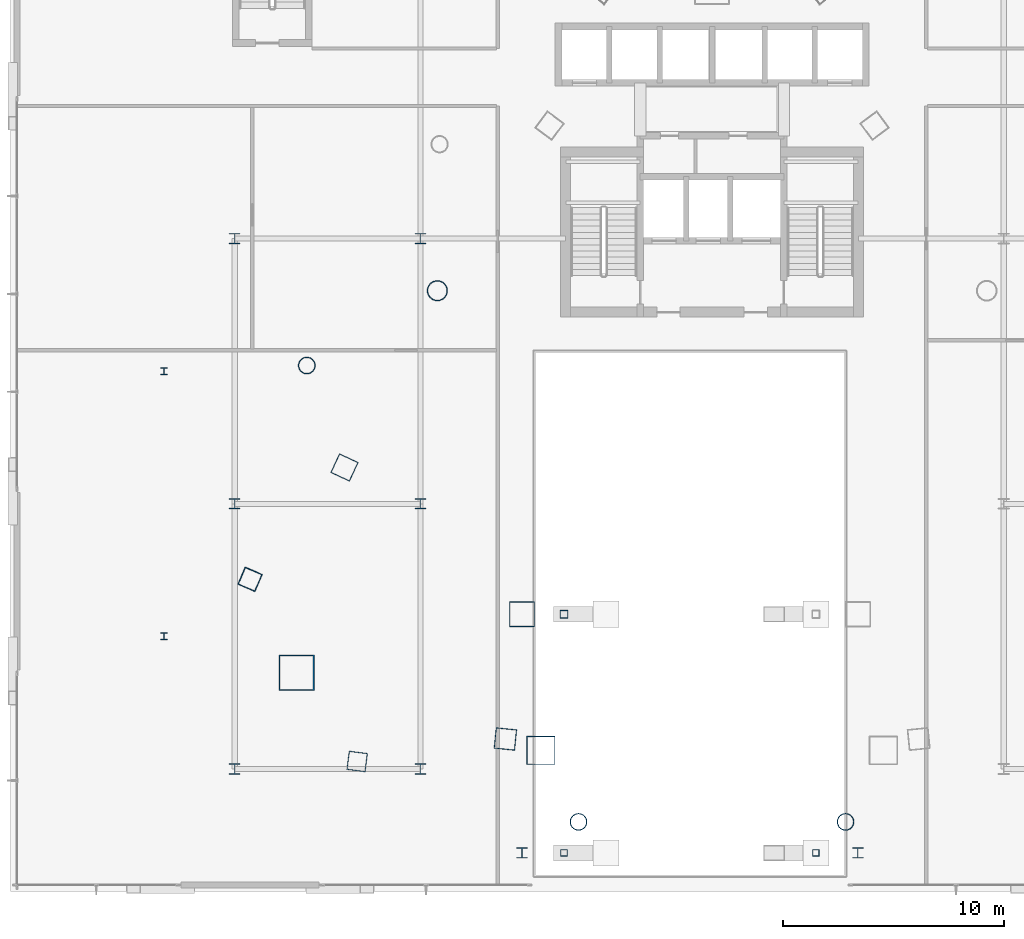
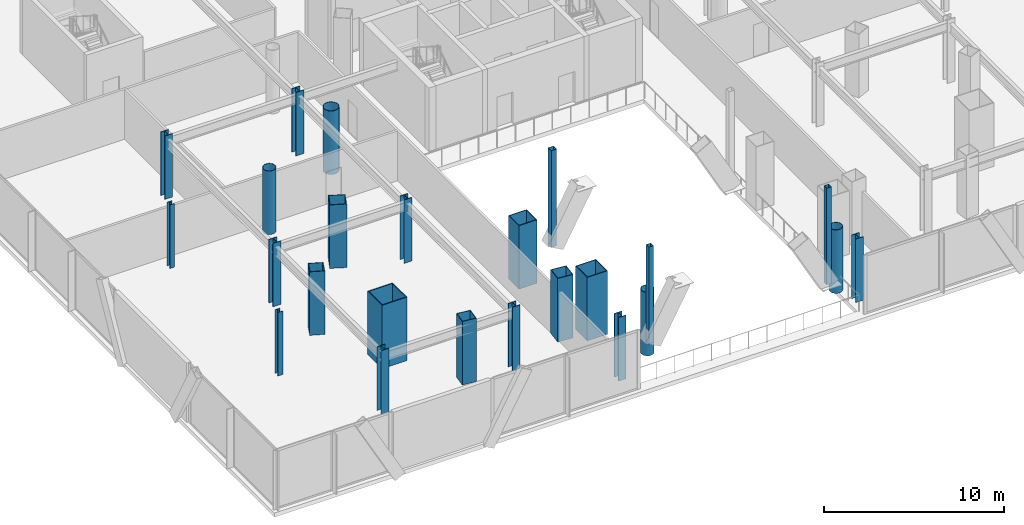
# One storey, part 1 of 42: 24 columns.
"""IFC4 building model written with IfcOpenShell, lengths in metres."""

from ifc_helpers import new_model, si_unit, direction, frame, origin, origin_2d, place, context, subcontext, project, spatial, hollow_rectangle, hollow_circle, i_section, extrude, material, material_profile, profile_set, type_object, element, save


model = new_model("IFC4")

# Units and contexts
model_context = context("Model", 3, precision=1e-05, world=origin(), true_north=direction((0.0, 1.0)))
body_context = subcontext(model_context, "Body", "Model", "MODEL_VIEW")
ifc_project = project(units=[si_unit("LENGTHUNIT", "METRE"), si_unit("AREAUNIT", "SQUARE_METRE"), si_unit("VOLUMEUNIT", "CUBIC_METRE"), si_unit("PLANEANGLEUNIT", "RADIAN"), si_unit("MASSUNIT", "GRAM", prefix="KILO")], contexts=[model_context])

# Site, building, storey
site_placement = place(None, origin())
site = spatial("IfcSite", under=ifc_project, at=site_placement, CompositionType="ELEMENT")
building_placement = place(site_placement, origin())
building = spatial("IfcBuilding", under=site, at=building_placement, Name="Orvanel Arch Residences", CompositionType="ELEMENT")
storey_placement = place(building_placement, frame((0.0, 0.0, 5.5)))
storey = spatial("IfcBuildingStorey", under=building, at=storey_placement, Name="L01", CompositionType="ELEMENT", Elevation=5.5)

# Columns
ifc_material_1 = material(Name="Structural steel AS/NZS 1163 C450L0 (Grade 450)", Category="steel")
ifc_material_profile_1 = material_profile(ifc_material_1, hollow_circle(Radius=0.381103515625, WallThickness=0.02197265625, at=origin_2d()), Name="CHS762x22")
ifc_profile_set_1 = profile_set([ifc_material_profile_1], Name="Structural steel AS/NZS 1163 C450L0 (Grade 450)")
column_type_1 = type_object("IfcColumnType", Name="CC-762", PredefinedType="COLUMN", material=ifc_profile_set_1)
for number, where, z_axis, x_axis, name in (
    (1, (14.662109375, 24.256103515625, 0.0), (0.0, 0.0, 1.0), (1.0, 0.0, 0.0), "L01 Low-Rise Buttress Tube Column 02"),
    (2, (26.9580078125, 3.60498046875, 0.0), (0.0, 0.0, 1.0), (1.0, 0.0, 0.0), "L01 Low-Rise Buttress Tube Column 03"),
    (3, (39.0419921875, 3.60498046875, 0.0), (0.0, 0.0, 1.0), (1.0, 0.0, 0.0), "L01 Low-Rise Buttress Tube Column 04"),
):
    element("IfcColumn", number, at=place(storey_placement, frame(where, z_axis=z_axis, x_axis=x_axis)), inside=storey, type_object=column_type_1, Name=name, PredefinedType="COLUMN", context=body_context, shape_type="SweptSolid", body=[
        extrude(hollow_circle(Radius=0.381103515625, WallThickness=0.02197265625, at=origin_2d()), origin(), (0.0, 0.0, 1.0), 4.300048828125),
    ])
ifc_material_profile_2 = material_profile(ifc_material_1, hollow_circle(Radius=0.45703125, WallThickness=0.02490234375, at=origin_2d()), Name="CHS914x25")
ifc_profile_set_2 = profile_set([ifc_material_profile_2], Name="Structural steel AS/NZS 1163 C450L0 (Grade 450)")
column_type_2 = type_object("IfcColumnType", Name="CC-914", PredefinedType="COLUMN", material=ifc_profile_set_2)
column_1_placement = place(storey_placement, frame((20.569091796875, 27.64111328125, 0.0), z_axis=(0.0, 0.0, 1.0), x_axis=(1.0, 0.0, 0.0)))
element("IfcColumn", 4, at=column_1_placement, inside=storey, type_object=column_type_2, Name="L01 High-Rise Tube Column 02", PredefinedType="COLUMN", context=body_context, shape_type="SweptSolid", body=[
    extrude(hollow_circle(Radius=0.45703125, WallThickness=0.02490234375, at=origin_2d()), origin(), (0.0, 0.0, 1.0), 4.300048828125),
])
ifc_material_2 = material(Name="Structural steel AS/NZS 3678 Grade 450", Category="steel")
ifc_material_profile_3 = material_profile(ifc_material_2, hollow_rectangle(XDim=1.14990234375, YDim=1.14990234375, WallThickness=0.035888671875, at=origin_2d()), Name="BOX1150x1150x36")
ifc_profile_set_3 = profile_set([ifc_material_profile_3], Name="Structural steel AS/NZS 3678 Grade 450")
column_type_3 = type_object("IfcColumnType", Name="MC-1150", PredefinedType="COLUMN", material=ifc_profile_set_3)
column_2_placement = place(storey_placement, frame((24.39990234375, 13.0, 0.0), z_axis=(0.0, 0.0, 1.0), x_axis=(1.0, 0.0, 0.0)))
element("IfcColumn", 5, at=column_2_placement, inside=storey, type_object=column_type_3, Name="L01 Arch Portal Pier MID W", PredefinedType="COLUMN", context=body_context, shape_type="SweptSolid", body=[
    extrude(hollow_rectangle(XDim=1.14990234375, YDim=1.14990234375, WallThickness=0.035888671875, at=origin_2d()), origin(), (0.0, 0.0, 1.0), 4.300048828125),
])
ifc_material_profile_4 = material_profile(ifc_material_2, hollow_rectangle(XDim=1.300048828125, YDim=1.300048828125, WallThickness=0.0400390625, at=origin_2d()), Name="BOX1300x1300x40")
ifc_profile_set_4 = profile_set([ifc_material_profile_4], Name="Structural steel AS/NZS 3678 Grade 450")
column_type_4 = type_object("IfcColumnType", Name="MC-1300", PredefinedType="COLUMN", material=ifc_profile_set_4)
column_3_placement = place(storey_placement, frame((25.25, 6.843994140625, 0.0), z_axis=(0.0, 0.0, 1.0), x_axis=(1.0, 0.0, 0.0)))
element("IfcColumn", 6, at=column_3_placement, inside=storey, type_object=column_type_4, Name="L01 Arch Transfer Pier W", PredefinedType="COLUMN", context=body_context, shape_type="SweptSolid", body=[
    extrude(hollow_rectangle(XDim=1.300048828125, YDim=1.300048828125, WallThickness=0.0400390625, at=origin_2d()), origin(), (0.0, 0.0, 1.0), 4.300048828125),
])
ifc_material_profile_5 = material_profile(ifc_material_2, hollow_rectangle(XDim=1.60009765625, YDim=1.60009765625, WallThickness=0.050048828125, at=origin_2d()), Name="BOX1600x1600x50")
ifc_profile_set_5 = profile_set([ifc_material_profile_5], Name="Structural steel AS/NZS 3678 Grade 450")
column_type_5 = type_object("IfcColumnType", Name="MC-1600", PredefinedType="COLUMN", material=ifc_profile_set_5)
column_4_placement = place(storey_placement, frame((14.198974609375, 10.35107421875, 0.0), z_axis=(0.0, 0.0, 1.0), x_axis=(1.0, 0.0, 0.0)))
element("IfcColumn", 7, at=column_4_placement, inside=storey, type_object=column_type_5, Name="L01 Corner Composite Mega-Column 2", PredefinedType="COLUMN", context=body_context, shape_type="SweptSolid", body=[
    extrude(hollow_rectangle(XDim=1.60009765625, YDim=1.60009765625, WallThickness=0.050048828125, at=origin_2d()), origin(), (0.0, 0.0, 1.0), 4.300048828125),
])
ifc_material_3 = material(Name="Structural steel AS/NZS 1163 C350L0 (Grade 350)", Category="steel")
ifc_material_profile_6 = material_profile(ifc_material_3, hollow_rectangle(XDim=0.300048828125, YDim=0.300048828125, WallThickness=0.012451171875, at=origin_2d()), Name="SHS300x300x12.5")
ifc_profile_set_6 = profile_set([ifc_material_profile_6], Name="Structural steel AS/NZS 1163 C350L0 (Grade 350)")
column_type_6 = type_object("IfcColumnType", Name="OC-300SHS-EXT", PredefinedType="COLUMN", material=ifc_profile_set_6)
for number, where, z_axis, x_axis, name in (
    (8, (26.300048828125, 2.199951171875, 1.778076171875), (0.0, 0.0, 1.0), (1.0, 0.0, 0.0), "L01 Open-Spandrel Arch Post SOUTH 1"),
    (9, (37.699951171875, 2.199951171875, 1.778076171875), (0.0, 0.0, 1.0), (1.0, 0.0, 0.0), "L01 Open-Spandrel Arch Post SOUTH 7"),
):
    element("IfcColumn", number, at=place(storey_placement, frame(where, z_axis=z_axis, x_axis=x_axis)), inside=storey, type_object=column_type_6, Name=name, PredefinedType="COLUMN", context=body_context, shape_type="SweptSolid", body=[
        extrude(hollow_rectangle(XDim=0.300048828125, YDim=0.300048828125, WallThickness=0.012451171875, at=origin_2d()), origin(), (0.0, 0.0, 1.0), 6.5419921875),
    ])
ifc_material_profile_7 = material_profile(ifc_material_3, hollow_rectangle(XDim=0.35009765625, YDim=0.35009765625, WallThickness=0.01611328125, at=origin_2d()), Name="SHS350x350x16")
ifc_profile_set_7 = profile_set([ifc_material_profile_7], Name="Structural steel AS/NZS 1163 C350L0 (Grade 350)")
column_type_7 = type_object("IfcColumnType", Name="OC-350SHS", PredefinedType="COLUMN", material=ifc_profile_set_7)
column_5_placement = place(storey_placement, frame((26.300048828125, 13.0, 1.778076171875), z_axis=(0.0, 0.0, 1.0), x_axis=(1.0, 0.0, 0.0)))
element("IfcColumn", 10, at=column_5_placement, inside=storey, type_object=column_type_7, Name="L01 Open-Spandrel Arch Post MID 1", PredefinedType="COLUMN", context=body_context, shape_type="SweptSolid", body=[
    extrude(hollow_rectangle(XDim=0.35009765625, YDim=0.35009765625, WallThickness=0.01611328125, at=origin_2d()), origin(), (0.0, 0.0, 1.0), 6.5419921875),
])
ifc_material_4 = material(Name="Structural steel AS/NZS 3679.1 Grade 300 (300 MPa)", Category="steel")
ifc_material_profile_8 = material_profile(ifc_material_4, i_section(OverallWidth=0.31103515625, OverallDepth=0.326904296875, WebThickness=0.015625, FlangeThickness=0.02490234375, at=origin_2d()), Name="310UC158")
ifc_profile_set_8 = profile_set([ifc_material_profile_8], Name="Structural steel AS/NZS 3679.1 Grade 300 (300 MPa)")
column_type_8 = type_object("IfcColumnType", Name="SC-310UC158", PredefinedType="COLUMN", material=ifc_profile_set_8)
for number, where, z_axis, x_axis, name in (
    (11, (8.199951171875, 12.0, 0.0), (0.0, 0.0, 1.0), (1.0, 0.0, 0.0), "L01 Auxiliary Podium Column 01"),
    (12, (8.199951171875, 24.0, 0.0), (0.0, 0.0, 1.0), (1.0, 0.0, 0.0), "L01 Auxiliary Podium Column 02"),
):
    element("IfcColumn", number, at=place(storey_placement, frame(where, z_axis=z_axis, x_axis=x_axis)), inside=storey, type_object=column_type_8, Name=name, PredefinedType="COLUMN", context=body_context, shape_type="SweptSolid", body=[
        extrude(i_section(OverallWidth=0.31103515625, OverallDepth=0.326904296875, WebThickness=0.015625, FlangeThickness=0.02490234375, at=origin_2d()), origin(), (0.0, 0.0, 1.0), 4.300048828125),
    ])
ifc_material_profile_9 = material_profile(ifc_material_4, i_section(OverallWidth=0.5, OverallDepth=0.47998046875, WebThickness=0.028076171875, FlangeThickness=0.0400390625, at=origin_2d()), Name="500WC440")
ifc_profile_set_9 = profile_set([ifc_material_profile_9], Name="Structural steel AS/NZS 3679.1 Grade 300 (300 MPa)")
column_type_9 = type_object("IfcColumnType", Name="SC-500WC", PredefinedType="COLUMN", material=ifc_profile_set_9)
for number, where, z_axis, x_axis, name in (
    (13, (11.39990234375, 6.0, 0.0), (0.0, 0.0, 1.0), (1.0, 0.0, 0.0), "L01 Podium Grid Column 01"),
    (14, (11.39990234375, 18.0, 0.0), (0.0, 0.0, 1.0), (1.0, 0.0, 0.0), "L01 Podium Grid Column 02"),
    (15, (11.39990234375, 30.0, 0.0), (0.0, 0.0, 1.0), (1.0, 0.0, 0.0), "L01 Podium Grid Column 03"),
    (16, (19.800048828125, 6.0, 0.0), (0.0, 0.0, 1.0), (1.0, 0.0, 0.0), "L01 Podium Grid Column 04"),
    (17, (19.800048828125, 18.0, 0.0), (0.0, 0.0, 1.0), (1.0, 0.0, 0.0), "L01 Podium Grid Column 05"),
    (18, (19.800048828125, 30.0, 0.0), (0.0, 0.0, 1.0), (1.0, 0.0, 0.0), "L01 Podium Grid Column 06"),
):
    element("IfcColumn", number, at=place(storey_placement, frame(where, z_axis=z_axis, x_axis=x_axis)), inside=storey, type_object=column_type_9, Name=name, PredefinedType="COLUMN", context=body_context, shape_type="SweptSolid", body=[
        extrude(i_section(OverallWidth=0.5, OverallDepth=0.47998046875, WebThickness=0.028076171875, FlangeThickness=0.0400390625, at=origin_2d()), origin(), (0.0, 0.0, 1.0), 4.300048828125),
    ])
ifc_material_profile_10 = material_profile(ifc_material_4, i_section(OverallWidth=0.5, OverallDepth=0.47998046875, WebThickness=0.028076171875, FlangeThickness=0.0400390625, at=origin_2d()), Name="500WC440")
ifc_profile_set_10 = profile_set([ifc_material_profile_10], Name="Structural steel AS/NZS 3679.1 Grade 300 (300 MPa)")
column_type_10 = type_object("IfcColumnType", Name="SC-500WC-EXT", PredefinedType="COLUMN", material=ifc_profile_set_10)
for number, where, z_axis, x_axis, name in (
    (19, (24.39990234375, 2.199951171875, 0.0), (0.0, 0.0, 1.0), (1.0, 0.0, 0.0), "L01 Arch Portal Pier SOUTH W"),
    (20, (39.60009765625, 2.199951171875, 0.0), (0.0, 0.0, 1.0), (1.0, 0.0, 0.0), "L01 Arch Portal Pier SOUTH E"),
):
    element("IfcColumn", number, at=place(storey_placement, frame(where, z_axis=z_axis, x_axis=x_axis)), inside=storey, type_object=column_type_10, Name=name, PredefinedType="COLUMN", context=body_context, shape_type="SweptSolid", body=[
        extrude(i_section(OverallWidth=0.5, OverallDepth=0.47998046875, WebThickness=0.028076171875, FlangeThickness=0.0400390625, at=origin_2d()), origin(), (0.0, 0.0, 1.0), 4.300048828125),
    ])
ifc_material_5 = material(Name="Structural steel AS/NZS 3678 Grade 350", Category="steel")
ifc_material_profile_11 = material_profile(ifc_material_5, hollow_rectangle(XDim=0.85009765625, YDim=0.85009765625, WallThickness=0.028076171875, at=origin_2d()), Name="BOX850x850x28")
ifc_profile_set_11 = profile_set([ifc_material_profile_11], Name="Structural steel AS/NZS 3678 Grade 350")
column_type_11 = type_object("IfcColumnType", Name="TC-850", PredefinedType="COLUMN", material=ifc_profile_set_11)
for number, where, z_axis, x_axis, name in (
    (21, (12.094970703125, 14.580078125, 0.0), (0.0, 0.0, 1.0), (0.397147890635, 0.917754625684, 0.0), "L01 Mid-Rise Buttress Tube Column 02"),
    (22, (16.94091796875, 6.339111328125, 0.0), (0.0, 0.0, 1.0), (-0.99189444259, 0.127064608601, 0.0), "L01 Mid-Rise Buttress Tube Column 03"),
):
    element("IfcColumn", number, at=place(storey_placement, frame(where, z_axis=z_axis, x_axis=x_axis)), inside=storey, type_object=column_type_11, Name=name, PredefinedType="COLUMN", context=body_context, shape_type="SweptSolid", body=[
        extrude(hollow_rectangle(XDim=0.85009765625, YDim=0.85009765625, WallThickness=0.028076171875, at=origin_2d()), origin(), (0.0, 0.0, 1.0), 4.300048828125),
    ])
ifc_material_profile_12 = material_profile(ifc_material_5, hollow_rectangle(XDim=0.949951171875, YDim=0.949951171875, WallThickness=0.031982421875, at=origin_2d()), Name="BOX950x950x32")
ifc_profile_set_12 = profile_set([ifc_material_profile_12], Name="Structural steel AS/NZS 3678 Grade 350")
column_type_12 = type_object("IfcColumnType", Name="TC-950", PredefinedType="COLUMN", material=ifc_profile_set_12)
for number, where, z_axis, x_axis, name in (
    (23, (16.366943359375, 19.64208984375, 0.0), (0.0, 0.0, 1.0), (0.422618261741, 0.906307787037, 0.0), "L01 High-Rise Tube Column 03"),
    (24, (23.64892578125, 7.35498046875, 0.0), (0.0, 0.0, 1.0), (-0.994880708829, 0.101056297183, 0.0), "L01 High-Rise Tube Column 04"),
):
    element("IfcColumn", number, at=place(storey_placement, frame(where, z_axis=z_axis, x_axis=x_axis)), inside=storey, type_object=column_type_12, Name=name, PredefinedType="COLUMN", context=body_context, shape_type="SweptSolid", body=[
        extrude(hollow_rectangle(XDim=0.949951171875, YDim=0.949951171875, WallThickness=0.031982421875, at=origin_2d()), origin(), (0.0, 0.0, 1.0), 4.300048828125),
    ])

save(model, "model.ifc")
